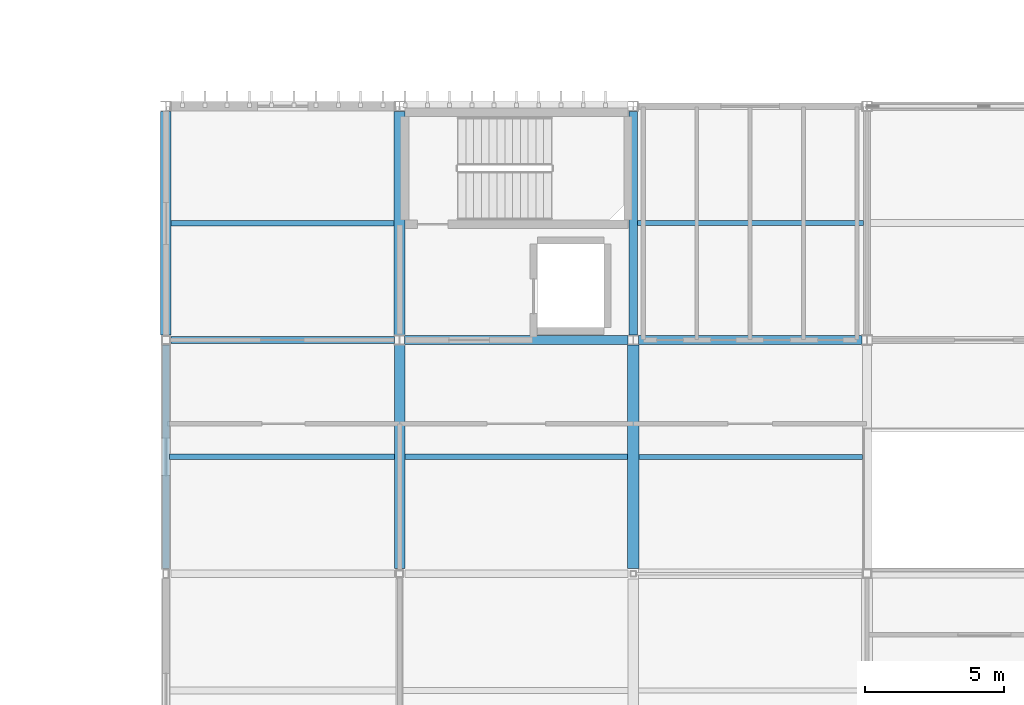
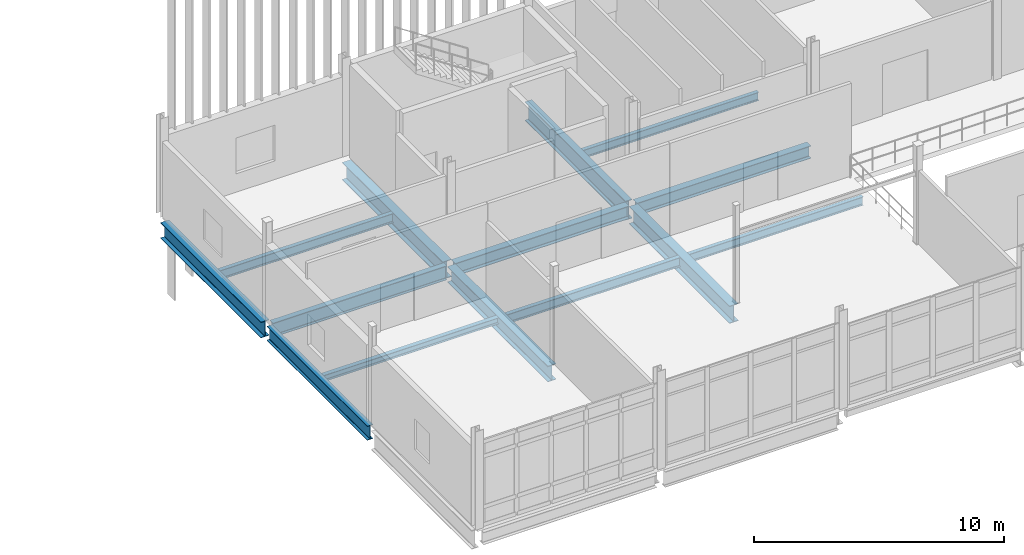
# One storey, part 18 of 72: 14 beams.
"""IFC4 building model written with IfcOpenShell, lengths in metres."""

from ifc_helpers import new_model, si_unit, direction, frame, origin, origin_2d, place, context, subcontext, project, spatial, i_section, extrude, material, material_profile, profile_set, type_object, element, save


model = new_model("IFC4")

# Units and contexts
model_context = context("Model", 3, precision=1e-05, world=origin(), true_north=direction((0.0, 1.0)))
body_context = subcontext(model_context, "Body", "Model", "MODEL_VIEW")
ifc_project = project(units=[si_unit("LENGTHUNIT", "METRE"), si_unit("AREAUNIT", "SQUARE_METRE"), si_unit("VOLUMEUNIT", "CUBIC_METRE"), si_unit("PLANEANGLEUNIT", "RADIAN"), si_unit("MASSUNIT", "GRAM", prefix="KILO")], contexts=[model_context])

# Site, building, storey
site_placement = place(None, origin())
site = spatial("IfcSite", under=ifc_project, at=site_placement, CompositionType="ELEMENT")
building_placement = place(site_placement, origin())
building = spatial("IfcBuilding", under=site, at=building_placement, Name="Calvrana Isthmian Art Gallery", CompositionType="ELEMENT")
storey_placement = place(building_placement, frame((0.0, 0.0, 15.0)))
storey = spatial("IfcBuildingStorey", under=building, at=storey_placement, Name="L03", CompositionType="ELEMENT", Elevation=15.0)

# Beams
ifc_material = material(Name="Steel ASTM A992 Gr 50", Category="steel")
ifc_material_profile_1 = material_profile(ifc_material, i_section(OverallWidth=0.324951171875, OverallDepth=0.612060546875, WebThickness=0.0126953125, FlangeThickness=0.01904296875, FilletRadius=0.02197265625, at=origin_2d()), Name="W24X104")
ifc_profile_set_1 = profile_set([ifc_material_profile_1], Name="Steel ASTM A992 Gr 50")
beam_type_1 = type_object("IfcBeamType", Name="BM-G-W24X104", PredefinedType="BEAM", material=ifc_profile_set_1)
beam_1_placement = place(storey_placement, frame((38.58642578125, 38.39990234375, -0.551025390625), z_axis=(1.0, 0.0, 0.0), x_axis=(0.0, 1.0, 0.0)))
element("IfcBeam", 1, at=beam_1_placement, inside=storey, type_object=beam_type_1, Name="Girder X L03 06-07/F", PredefinedType="BEAM", context=body_context, shape_type="SweptSolid", body=[
    extrude(i_section(OverallWidth=0.324951171875, OverallDepth=0.612060546875, WebThickness=0.0126953125, FlangeThickness=0.01904296875, FilletRadius=0.02197265625, at=origin_2d()), origin(), (0.0, 0.0, 1.0), 8.027099609375),
])
ifc_material_profile_2 = material_profile(ifc_material, i_section(OverallWidth=0.327880859375, OverallDepth=0.6220703125, WebThickness=0.015380859375, FlangeThickness=0.0244140625, FilletRadius=0.02197265625, at=origin_2d()), Name="W24X131")
ifc_profile_set_2 = profile_set([ifc_material_profile_2], Name="Steel ASTM A992 Gr 50")
beam_type_2 = type_object("IfcBeamType", Name="BM-G-W24X131", PredefinedType="BEAM", material=ifc_profile_set_2)
beam_2_placement = place(storey_placement, frame((30.18408203125, 38.39990234375, -0.555908203125), z_axis=(1.0, 0.0, 0.0), x_axis=(0.0, 1.0, 0.0)))
element("IfcBeam", 2, at=beam_2_placement, inside=storey, type_object=beam_type_2, Name="Girder X L03 05-06/F", PredefinedType="BEAM", context=body_context, shape_type="SweptSolid", body=[
    extrude(i_section(OverallWidth=0.327880859375, OverallDepth=0.6220703125, WebThickness=0.015380859375, FlangeThickness=0.0244140625, FilletRadius=0.02197265625, at=origin_2d()), origin(), (0.0, 0.0, 1.0), 8.029296875),
])
ifc_material_profile_3 = material_profile(ifc_material, i_section(OverallWidth=0.257080078125, OverallDepth=0.693115234375, WebThickness=0.014404296875, FlangeThickness=0.023681640625, FilletRadius=0.02392578125, at=origin_2d()), Name="W27X114")
ifc_profile_set_3 = profile_set([ifc_material_profile_3], Name="Steel ASTM A992 Gr 50")
beam_type_3 = type_object("IfcBeamType", Name="BM-G-W27X114", PredefinedType="BEAM", material=ifc_profile_set_3)
beam_3_placement = place(storey_placement, frame((21.785400390625, 38.39990234375, -0.591552734375), z_axis=(1.0, 0.0, 0.0), x_axis=(0.0, 1.0, 0.0)))
element("IfcBeam", 3, at=beam_3_placement, inside=storey, type_object=beam_type_3, Name="Girder X L03 04-05/F", PredefinedType="BEAM", context=body_context, shape_type="SweptSolid", body=[
    extrude(i_section(OverallWidth=0.257080078125, OverallDepth=0.693115234375, WebThickness=0.014404296875, FlangeThickness=0.023681640625, FilletRadius=0.02392578125, at=origin_2d()), origin(), (0.0, 0.0, 1.0), 8.030517578125),
])
beam_4_placement = place(storey_placement, frame((21.60009765625, 30.177978515625, -0.591552734375), z_axis=(0.0, 1.0, 0.0), x_axis=(-1.0, 0.0, 0.0)))
element("IfcBeam", 4, at=beam_4_placement, inside=storey, type_object=beam_type_3, Name="Girder Y L03 04/E-F", PredefinedType="BEAM", context=body_context, shape_type="SweptSolid", body=[
    extrude(i_section(OverallWidth=0.257080078125, OverallDepth=0.693115234375, WebThickness=0.014404296875, FlangeThickness=0.023681640625, FilletRadius=0.02392578125, at=origin_2d()), origin(), (0.0, 0.0, 1.0), 8.04052734375),
])
ifc_material_profile_4 = material_profile(ifc_material, i_section(OverallWidth=0.381103515625, OverallDepth=0.77197265625, WebThickness=0.0166015625, FlangeThickness=0.027099609375, FilletRadius=0.02490234375, at=origin_2d()), Name="W30X173")
ifc_profile_set_4 = profile_set([ifc_material_profile_4], Name="Steel ASTM A992 Gr 50")
beam_type_4 = type_object("IfcBeamType", Name="BM-G-W30X173", PredefinedType="BEAM", material=ifc_profile_set_4)
beam_5_placement = place(storey_placement, frame((21.60009765625, 38.58154296875, -0.631103515625), z_axis=(0.0, 1.0, 0.0), x_axis=(-1.0, 0.0, 0.0)))
element("IfcBeam", 5, at=beam_5_placement, inside=storey, type_object=beam_type_4, Name="Girder Y L03 04/F-G", PredefinedType="BEAM", context=body_context, shape_type="SweptSolid", body=[
    extrude(i_section(OverallWidth=0.381103515625, OverallDepth=0.77197265625, WebThickness=0.0166015625, FlangeThickness=0.027099609375, FilletRadius=0.02490234375, at=origin_2d()), origin(), (0.0, 0.0, 1.0), 8.028076171875),
])
beam_6_placement = place(storey_placement, frame((30.0, 30.1865234375, -0.631103515625), z_axis=(0.0, 1.0, 0.0), x_axis=(-1.0, 0.0, 0.0)))
element("IfcBeam", 6, at=beam_6_placement, inside=storey, type_object=beam_type_4, Name="Girder Y L03 05/E-F", PredefinedType="BEAM", context=body_context, shape_type="SweptSolid", body=[
    extrude(i_section(OverallWidth=0.381103515625, OverallDepth=0.77197265625, WebThickness=0.0166015625, FlangeThickness=0.027099609375, FilletRadius=0.02490234375, at=origin_2d()), origin(), (0.0, 0.0, 1.0), 8.035400390625),
])
ifc_material_profile_5 = material_profile(ifc_material, i_section(OverallWidth=0.40087890625, OverallDepth=0.85595703125, WebThickness=0.018310546875, FlangeThickness=0.029296875, FilletRadius=0.02587890625, at=origin_2d()), Name="W33X201")
ifc_profile_set_5 = profile_set([ifc_material_profile_5], Name="Steel ASTM A992 Gr 50")
beam_type_5 = type_object("IfcBeamType", Name="BM-G-W33X201", PredefinedType="BEAM", material=ifc_profile_set_5)
beam_7_placement = place(storey_placement, frame((30.0, 38.577880859375, -0.673095703125), z_axis=(0.0, 1.0, 0.0), x_axis=(-1.0, 0.0, 0.0)))
element("IfcBeam", 7, at=beam_7_placement, inside=storey, type_object=beam_type_5, Name="Girder Y L03 05/F-G", PredefinedType="BEAM", context=body_context, shape_type="SweptSolid", body=[
    extrude(i_section(OverallWidth=0.40087890625, OverallDepth=0.85595703125, WebThickness=0.018310546875, FlangeThickness=0.029296875, FilletRadius=0.02587890625, at=origin_2d()), origin(), (0.0, 0.0, 1.0), 8.0341796875),
])
beam_8_placement = place(storey_placement, frame((38.39990234375, 30.18408203125, -0.673095703125), z_axis=(0.0, 1.0, 0.0), x_axis=(-1.0, 0.0, 0.0)))
element("IfcBeam", 8, at=beam_8_placement, inside=storey, type_object=beam_type_5, Name="Girder Y L03 06/E-F", PredefinedType="BEAM", context=body_context, shape_type="SweptSolid", body=[
    extrude(i_section(OverallWidth=0.40087890625, OverallDepth=0.85595703125, WebThickness=0.018310546875, FlangeThickness=0.029296875, FilletRadius=0.02587890625, at=origin_2d()), origin(), (0.0, 0.0, 1.0), 8.029296875),
])
ifc_material_profile_6 = material_profile(ifc_material, i_section(OverallWidth=0.306884765625, OverallDepth=0.927001953125, WebThickness=0.019287109375, FlangeThickness=0.031982421875, FilletRadius=0.028076171875, at=origin_2d()), Name="W36X194")
ifc_profile_set_6 = profile_set([ifc_material_profile_6], Name="Steel ASTM A992 Gr 50")
beam_type_6 = type_object("IfcBeamType", Name="BM-G-W36X194", PredefinedType="BEAM", material=ifc_profile_set_6)
beam_9_placement = place(storey_placement, frame((38.39990234375, 38.58642578125, -0.70849609375), z_axis=(0.0, 1.0, 0.0), x_axis=(-1.0, 0.0, 0.0)))
element("IfcBeam", 9, at=beam_9_placement, inside=storey, type_object=beam_type_6, Name="Girder Y L03 06/F-G", PredefinedType="BEAM", context=body_context, shape_type="SweptSolid", body=[
    extrude(i_section(OverallWidth=0.306884765625, OverallDepth=0.927001953125, WebThickness=0.019287109375, FlangeThickness=0.031982421875, FilletRadius=0.028076171875, at=origin_2d()), origin(), (0.0, 0.0, 1.0), 8.027099609375),
])
ifc_material_profile_7 = material_profile(ifc_material, i_section(OverallWidth=0.202880859375, OverallDepth=0.302001953125, WebThickness=0.007568359375, FlangeThickness=0.01318359375, FilletRadius=0.01611328125, at=origin_2d()), Name="W12X40")
ifc_profile_set_7 = profile_set([ifc_material_profile_7], Name="Steel ASTM A992 Gr 50")
beam_type_7 = type_object("IfcBeamType", Name="BM-J-W12X40", PredefinedType="JOIST", material=ifc_profile_set_7)
beam_10_placement = place(storey_placement, frame((21.728515625, 34.199951171875, -0.39599609375), z_axis=(1.0, 0.0, 0.0), x_axis=(0.0, 1.0, 0.0)))
element("IfcBeam", 10, at=beam_10_placement, inside=storey, type_object=beam_type_7, Name="Composite joist L03 bay 03-04", PredefinedType="JOIST", context=body_context, shape_type="SweptSolid", body=[
    extrude(i_section(OverallWidth=0.202880859375, OverallDepth=0.302001953125, WebThickness=0.007568359375, FlangeThickness=0.01318359375, FilletRadius=0.01611328125, at=origin_2d()), origin(), (0.0, 0.0, 1.0), 8.0810546875),
])
ifc_material_profile_8 = material_profile(ifc_material, i_section(OverallWidth=0.177978515625, OverallDepth=0.404052734375, WebThickness=0.007568359375, FlangeThickness=0.010986328125, FilletRadius=0.01806640625, at=origin_2d()), Name="W16X36")
ifc_profile_set_8 = profile_set([ifc_material_profile_8], Name="Steel ASTM A992 Gr 50")
beam_type_8 = type_object("IfcBeamType", Name="BM-J-W16X36", PredefinedType="JOIST", material=ifc_profile_set_8)
beam_11_placement = place(storey_placement, frame((38.553466796875, 42.60009765625, -0.447021484375), z_axis=(1.0, 0.0, 0.0), x_axis=(0.0, 1.0, 0.0)))
element("IfcBeam", 11, at=beam_11_placement, inside=storey, type_object=beam_type_8, Name="Composite joist L03 bay 05-05", PredefinedType="JOIST", context=body_context, shape_type="SweptSolid", body=[
    extrude(i_section(OverallWidth=0.177978515625, OverallDepth=0.404052734375, WebThickness=0.007568359375, FlangeThickness=0.010986328125, FilletRadius=0.01806640625, at=origin_2d()), origin(), (0.0, 0.0, 1.0), 8.117919921875),
])
ifc_material_profile_9 = material_profile(ifc_material, i_section(OverallWidth=0.179931640625, OverallDepth=0.4140625, WebThickness=0.009765625, FlangeThickness=0.01611328125, FilletRadius=0.01806640625, at=origin_2d()), Name="W16X50")
ifc_profile_set_9 = profile_set([ifc_material_profile_9], Name="Steel ASTM A992 Gr 50")
beam_type_9 = type_object("IfcBeamType", Name="BM-J-W16X50", PredefinedType="JOIST", material=ifc_profile_set_9)
beam_12_placement = place(storey_placement, frame((38.6005859375, 34.199951171875, -0.451904296875), z_axis=(1.0, 0.0, 0.0), x_axis=(0.0, 1.0, 0.0)))
element("IfcBeam", 12, at=beam_12_placement, inside=storey, type_object=beam_type_9, Name="Composite joist L03 bay 05-04", PredefinedType="JOIST", context=body_context, shape_type="SweptSolid", body=[
    extrude(i_section(OverallWidth=0.179931640625, OverallDepth=0.4140625, WebThickness=0.009765625, FlangeThickness=0.01611328125, FilletRadius=0.01806640625, at=origin_2d()), origin(), (0.0, 0.0, 1.0), 8.0458984375),
])
ifc_material_profile_10 = material_profile(ifc_material, i_section(OverallWidth=0.19091796875, OverallDepth=0.45703125, WebThickness=0.009033203125, FlangeThickness=0.014404296875, FilletRadius=0.02001953125, at=origin_2d()), Name="W18X50")
ifc_profile_set_10 = profile_set([ifc_material_profile_10], Name="Steel ASTM A992 Gr 50")
beam_type_10 = type_object("IfcBeamType", Name="BM-J-W18X50", PredefinedType="JOIST", material=ifc_profile_set_10)
for number, where, z_axis, x_axis, name in (
    (13, (21.79052734375, 42.60009765625, -0.473388671875), (1.0, 0.0, 0.0), (0.0, 1.0, 0.0), "Composite joist L03 bay 03-05"),
    (14, (30.1904296875, 34.199951171875, -0.473388671875), (1.0, 0.0, 0.0), (0.0, 1.0, 0.0), "Composite joist L03 bay 04-04"),
):
    element("IfcBeam", number, at=place(storey_placement, frame(where, z_axis=z_axis, x_axis=x_axis)), inside=storey, type_object=beam_type_10, Name=name, PredefinedType="JOIST", context=body_context, shape_type="SweptSolid", body=[
        extrude(i_section(OverallWidth=0.19091796875, OverallDepth=0.45703125, WebThickness=0.009033203125, FlangeThickness=0.014404296875, FilletRadius=0.02001953125, at=origin_2d()), origin(), (0.0, 0.0, 1.0), 8.009033203125),
    ])

save(model, "model.ifc")
